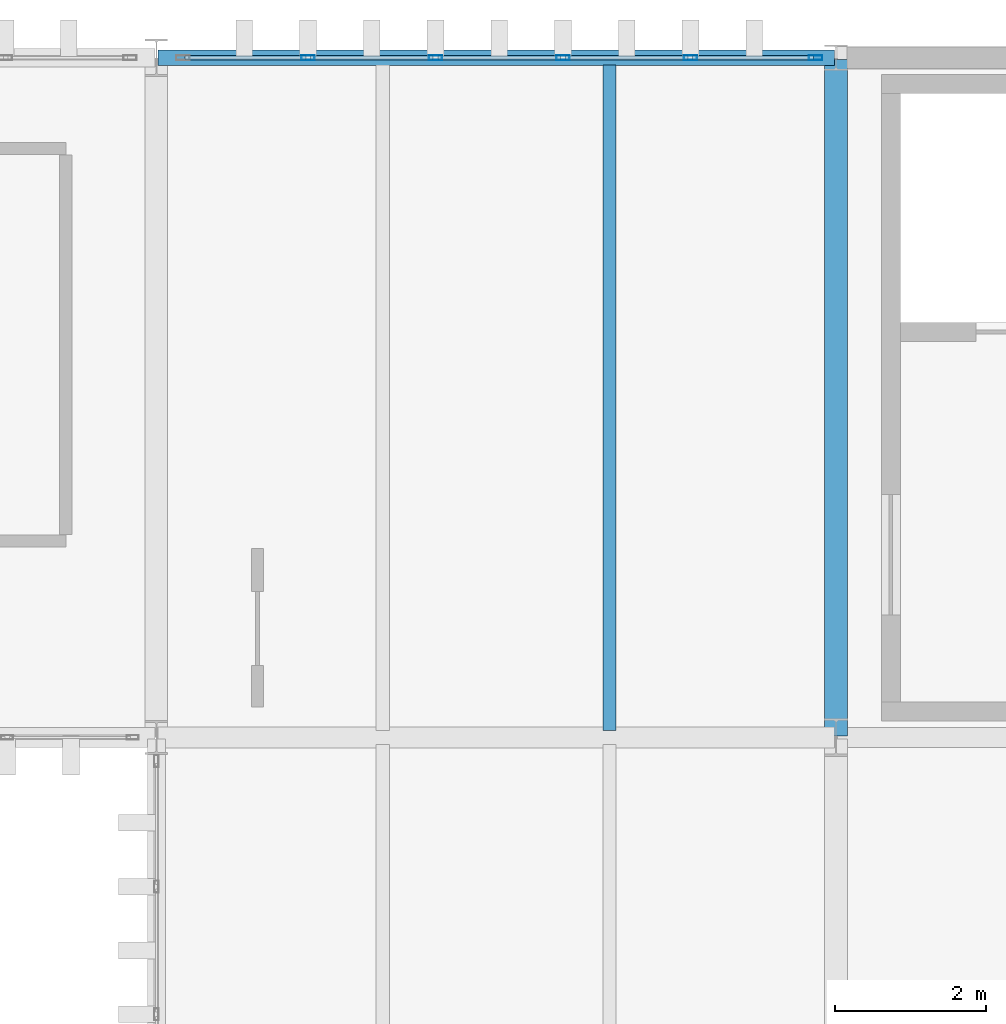
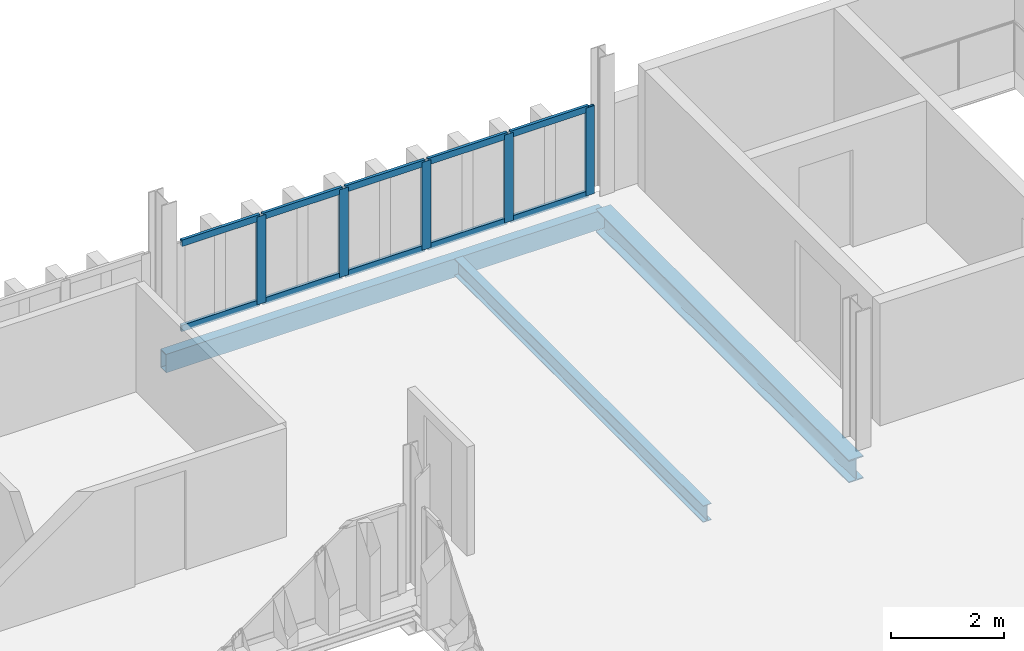
# One storey, part 42 of 58: 15 members, 3 beams, 1 element without a shape of its own.
"""IFC4 building model written with IfcOpenShell, lengths in metres."""

import ifcopenshell
import ifcopenshell.guid

model = None  # the IFC model being written
_history = None  # IfcOwnerHistory: only IFC2X3 demands one
_inside = {}  # id of a spatial element -> (the spatial element, [elements in it])
_under = {}  # id of a project, library or spatial element -> (it, [spatial elements below it])
_declared = {}  # id of a project -> (the project, [libraries it declares])
_typed = {}  # id of a type object -> (the type object, [elements of that type])
_made_of = {}  # id of a material, layer set ... -> (it, [elements and type objects made of it])


def new_model(schema):
    """Start an empty IFC model of exactly this schema.

    Asked for "IFC4X3", IfcOpenShell would pick the latest addendum, in which some entities
    have other attributes; the version numbers below select the first issue.
    IFC2X3 requires an IfcOwnerHistory on every rooted entity: one is made here for all.
    """
    global model, _history
    if schema == "IFC4X3":
        model = ifcopenshell.file(schema_version=(4, 3, 0, 0))
    else:
        model = ifcopenshell.file(schema=schema)
    _inside.clear()
    _under.clear()
    _declared.clear()
    _typed.clear()
    _made_of.clear()
    _history = None
    if model.schema == "IFC2X3":
        org = make("IfcOrganization", Name="unknown")
        user = make(
            "IfcPersonAndOrganization",
            ThePerson=make("IfcPerson", FamilyName="unknown"),
            TheOrganization=org,
        )
        app = make(
            "IfcApplication",
            ApplicationDeveloper=org,
            Version="unknown",
            ApplicationFullName="unknown",
            ApplicationIdentifier="unknown",
        )
        _history = make(
            "IfcOwnerHistory",
            OwningUser=user,
            OwningApplication=app,
            ChangeAction="ADDED",
            CreationDate=0,
        )
    return model


def make(cls, **values):
    """One entity of the class cls with the attributes given. An attribute that is None is left unset."""
    return model.create_entity(
        cls, **{name: value for name, value in values.items() if value is not None}
    )


def rooted(cls, **values):
    """An entity with a GlobalId (a new one), such as an element, a storey or a relation."""
    return make(cls, GlobalId=ifcopenshell.guid.new(), OwnerHistory=_history, **values)


def si_unit(unit_type, name, prefix=None):
    """IfcSIUnit, for example si_unit("LENGTHUNIT", "METRE", prefix="MILLI")."""
    return make("IfcSIUnit", UnitType=unit_type, Prefix=prefix, Name=name)


def assignment(units):
    """IfcUnitAssignment: the units of a project."""
    return None if units is None else make("IfcUnitAssignment", Units=units)


def point(xyz):
    """IfcCartesianPoint."""
    return None if xyz is None else make("IfcCartesianPoint", Coordinates=xyz)


def direction(xyz):
    """IfcDirection."""
    return None if xyz is None else make("IfcDirection", DirectionRatios=xyz)


def frame(location, z_axis=None, x_axis=None):
    """IfcAxis2Placement3D, a coordinate frame: its origin and axes. An axis left out is left unset."""
    return make(
        "IfcAxis2Placement3D",
        Location=point(location),
        Axis=direction(z_axis),
        RefDirection=direction(x_axis),
    )


def frame_2d(location, x_axis=None):
    """IfcAxis2Placement2D, a coordinate frame in the plane: its origin and x axis."""
    return make(
        "IfcAxis2Placement2D", Location=point(location), RefDirection=direction(x_axis)
    )


def origin():
    """The frame at (0, 0, 0) with its axes left unset."""
    return frame((0.0, 0.0, 0.0))


def origin_2d():
    """The frame at (0, 0) in the plane with its x axis left unset."""
    return frame_2d((0.0, 0.0))


def place(relative_to, where):
    """IfcLocalPlacement: puts the frame where relative to a parent placement (None: the world)."""
    return make(
        "IfcLocalPlacement", PlacementRelTo=relative_to, RelativePlacement=where
    )


def context(
    kind, dimensions, precision=None, world=None, true_north=None, identifier=None
):
    """IfcGeometricRepresentationContext, for example the 3D "Model" context."""
    return make(
        "IfcGeometricRepresentationContext",
        ContextIdentifier=identifier,
        ContextType=kind,
        CoordinateSpaceDimension=dimensions,
        Precision=precision,
        WorldCoordinateSystem=world,
        TrueNorth=true_north,
    )


def subcontext(parent, identifier, kind, view, scale=None):
    """IfcGeometricRepresentationSubContext, for example "Body" below "Model"."""
    return make(
        "IfcGeometricRepresentationSubContext",
        ContextIdentifier=identifier,
        ContextType=kind,
        ParentContext=parent,
        TargetScale=scale,
        TargetView=view,
    )


def project(units=None, contexts=None):
    """IfcProject with its units and contexts."""
    return rooted(
        "IfcProject",
        Name="project",
        RepresentationContexts=contexts,
        UnitsInContext=assignment(units),
    )


def spatial(cls, under=None, at=None, **own):
    """A site, building, storey or space (cls), placed at a placement, below another one or the project."""
    s = rooted(cls, ObjectPlacement=at, **own)
    if under is not None:
        _under.setdefault(under.id(), (under, []))[1].append(s)
    return s


def profile(cls, at=None, kind="AREA", **sizes):
    """A parametric profile (cls). Its sizes go by their IFC names, for example OverallWidth=200.0."""
    return make(cls, ProfileType=kind, Position=at, **sizes)


def hollow_rectangle(**sizes):
    """IfcRectangleHollowProfileDef."""
    return profile("IfcRectangleHollowProfileDef", **sizes)


def i_section(**sizes):
    """IfcIShapeProfileDef."""
    return profile("IfcIShapeProfileDef", **sizes)


def extrude(swept, where, along, depth):
    """IfcExtrudedAreaSolid: the profile swept, set in the frame where, extruded along a direction by depth."""
    return make(
        "IfcExtrudedAreaSolid",
        SweptArea=swept,
        Position=where,
        ExtrudedDirection=direction(along),
        Depth=depth,
    )


def shape(context_of_items, identifier, shape_type, items):
    """IfcShapeRepresentation: the items that make up one representation, for example the "Body"."""
    return make(
        "IfcShapeRepresentation",
        ContextOfItems=context_of_items,
        RepresentationIdentifier=identifier,
        RepresentationType=shape_type,
        Items=items,
    )


def material(Name=None, Category=None):
    """IfcMaterial."""
    return make("IfcMaterial", Name=Name, Category=Category)


def layer(
    of_material, thickness, ventilated=None, Name=None, Category=None, Priority=None
):
    """IfcMaterialLayer: one layer of a wall or slab, of a material (None: an air gap)."""
    return make(
        "IfcMaterialLayer",
        Material=of_material,
        LayerThickness=thickness,
        IsVentilated=ventilated,
        Name=Name,
        Category=Category,
        Priority=Priority,
    )


def layer_set(layers, Name=None):
    """IfcMaterialLayerSet."""
    return make("IfcMaterialLayerSet", MaterialLayers=layers, LayerSetName=Name)


def material_profile(
    of_material, cross_section, Name=None, Category=None, Priority=None
):
    """IfcMaterialProfile: a cross section and its material."""
    return make(
        "IfcMaterialProfile",
        Name=Name,
        Material=of_material,
        Profile=cross_section,
        Priority=Priority,
        Category=Category,
    )


def profile_set(profiles, Name=None, composite=None):
    """IfcMaterialProfileSet."""
    return make(
        "IfcMaterialProfileSet",
        Name=Name,
        MaterialProfiles=profiles,
        CompositeProfile=composite,
    )


def made_of(thing, what):
    """Note that an element or type object is made of a material, layer set ...; save() writes the relation."""
    if what is not None:
        _made_of.setdefault(what.id(), (what, []))[1].append(thing)
    return thing


def type_object(cls, material=None, **own):
    """A type object (cls), such as IfcWallType, which elements share."""
    return made_of(rooted(cls, **own), material)


def element(
    cls,
    number,
    at=None,
    inside=None,
    cuts=None,
    type_object=None,
    material=None,
    context=None,
    identifier="Body",
    shape_type=None,
    held_by="IfcProductDefinitionShape",
    body=None,
    shapes=None,
    **own,
):
    """One element of the class cls, such as IfcWall. Its Tag is "e" and its number.

    at: its placement. inside: the storey or other place that contains it. cuts: it is an
    opening in that element (IfcRelVoidsElement). A single representation is given by context,
    identifier, shape_type and body (its items); several are given by shapes. held_by: the class
    of the entity that holds the representations. save() writes the other relations.
    """
    e = rooted(cls, Tag="e%d" % number, ObjectPlacement=at, **own)
    if body is not None:
        shapes = [shape(context, identifier, shape_type, body)]
    if shapes is not None:
        e.Representation = make(held_by, Representations=shapes)
    if inside is not None:
        _inside.setdefault(inside.id(), (inside, []))[1].append(e)
    if cuts is not None:
        rooted(
            "IfcRelVoidsElement", RelatingBuildingElement=cuts, RelatedOpeningElement=e
        )
    if type_object is not None:
        _typed.setdefault(type_object.id(), (type_object, []))[1].append(e)
    return made_of(e, material)


def aggregate(whole, parts):
    """IfcRelAggregates: a whole, such as a stair, and the parts it consists of."""
    return rooted("IfcRelAggregates", RelatingObject=whole, RelatedObjects=parts)


def save(model, path):
    """Write the relations noted so far, then the file.

    IfcRelAggregates (storeys below a building ...), IfcRelContainedInSpatialStructure (elements
    in a storey), IfcRelDefinesByType, IfcRelAssociatesMaterial and IfcRelDeclares: one each for
    every whole, place, type object, material and project.
    """
    for whole, parts in _under.values():
        aggregate(whole, parts)
    for where, things in _inside.values():
        rooted(
            "IfcRelContainedInSpatialStructure",
            RelatedElements=things,
            RelatingStructure=where,
        )
    for kind, things in _typed.values():
        rooted("IfcRelDefinesByType", RelatedObjects=things, RelatingType=kind)
    for what, things in _made_of.values():
        rooted("IfcRelAssociatesMaterial", RelatedObjects=things, RelatingMaterial=what)
    for by, libraries in _declared.values():
        rooted("IfcRelDeclares", RelatingContext=by, RelatedDefinitions=libraries)
    model.write(path)


model = new_model("IFC4")

# Units and contexts
model_context = context("Model", 3, precision=1e-05, world=origin(), true_north=direction((0.0, 1.0)))
body_context = subcontext(model_context, "Body", "Model", "MODEL_VIEW")
ifc_project = project(units=[si_unit("LENGTHUNIT", "METRE"), si_unit("AREAUNIT", "SQUARE_METRE"), si_unit("VOLUMEUNIT", "CUBIC_METRE"), si_unit("PLANEANGLEUNIT", "RADIAN"), si_unit("MASSUNIT", "GRAM", prefix="KILO")], contexts=[model_context])

# Site, building, storey
site_placement = place(None, origin())
site = spatial("IfcSite", under=ifc_project, at=site_placement, CompositionType="ELEMENT")
building_placement = place(site_placement, origin())
building = spatial("IfcBuilding", under=site, at=building_placement, Name="Barlavento Convention Centre", CompositionType="ELEMENT")
storey_placement = place(building_placement, frame((0.0, 0.0, 26.800048828125)))
storey = spatial("IfcBuildingStorey", under=building, at=storey_placement, Name="L05", CompositionType="ELEMENT", Elevation=26.800048828125)

# Curtain wall, members
ifc_material_1 = material(Name="Powder-coated aluminium and Low-E glass", Category="aluminium")
ifc_layer = layer(ifc_material_1, 0.18994140625)
ifc_layer_set = layer_set([ifc_layer], Name="ARC-CW-CONF-L05")
curtain_wall_type = type_object("IfcCurtainWallType", Name="ARC-CW-CONF-L05", PredefinedType="NOTDEFINED", material=ifc_layer_set)
curtain_wall_placement = place(storey_placement, origin())
curtain_wall = element("IfcCurtainWall", 1, at=curtain_wall_placement, inside=storey, type_object=curtain_wall_type, Name="L05 unitised curtain wall CW10", PredefinedType="NOTDEFINED")
ifc_material_2 = material(Name="Powder-coated aluminium", Category="aluminium")
ifc_material_profile_1 = material_profile(ifc_material_2, hollow_rectangle(XDim=0.06005859375, YDim=0.179931640625, WallThickness=0.0048828125, at=origin_2d()), Name="AL-MULL 60x180x5")
ifc_profile_set_1 = profile_set([ifc_material_profile_1], Name="Powder-coated aluminium")
member_type_1 = type_object("IfcMemberType", Name="ARC-CWM-60X180", PredefinedType="MULLION", material=ifc_profile_set_1)
member_1_placement = place(storey_placement, frame((173.008056640625, 99.0, 0.0), z_axis=(0.0, 0.0, 1.0), x_axis=(0.0, 1.0, 0.0)))
member_1 = element("IfcMember", 2, at=member_1_placement, type_object=member_type_1, Name="CW10 mullion 2", PredefinedType="MULLION", context=body_context, shape_type="SweptSolid", body=[
    extrude(hollow_rectangle(XDim=0.06005859375, YDim=0.179931640625, WallThickness=0.0048828125, at=origin_2d()), origin(), (0.0, 0.0, 1.0), 1.89990234375),
])
member_2_placement = place(storey_placement, frame((174.696044921875, 99.0, 0.0), z_axis=(0.0, 0.0, 1.0), x_axis=(0.0, 1.0, 0.0)))
member_2 = element("IfcMember", 3, at=member_2_placement, type_object=member_type_1, Name="CW10 mullion 3", PredefinedType="MULLION", context=body_context, shape_type="SweptSolid", body=[
    extrude(hollow_rectangle(XDim=0.06005859375, YDim=0.179931640625, WallThickness=0.0048828125, at=origin_2d()), origin(), (0.0, 0.0, 1.0), 1.89990234375),
])
member_3_placement = place(storey_placement, frame((176.384033203125, 99.0, 0.0), z_axis=(0.0, 0.0, 1.0), x_axis=(0.0, 1.0, 0.0)))
member_3 = element("IfcMember", 4, at=member_3_placement, type_object=member_type_1, Name="CW10 mullion 4", PredefinedType="MULLION", context=body_context, shape_type="SweptSolid", body=[
    extrude(hollow_rectangle(XDim=0.06005859375, YDim=0.179931640625, WallThickness=0.0048828125, at=origin_2d()), origin(), (0.0, 0.0, 1.0), 1.89990234375),
])
member_4_placement = place(storey_placement, frame((178.072021484375, 99.0, 0.0), z_axis=(0.0, 0.0, 1.0), x_axis=(0.0, 1.0, 0.0)))
member_4 = element("IfcMember", 5, at=member_4_placement, type_object=member_type_1, Name="CW10 mullion 5", PredefinedType="MULLION", context=body_context, shape_type="SweptSolid", body=[
    extrude(hollow_rectangle(XDim=0.06005859375, YDim=0.179931640625, WallThickness=0.0048828125, at=origin_2d()), origin(), (0.0, 0.0, 1.0), 1.89990234375),
])
member_5_placement = place(storey_placement, frame((179.72998046875, 99.0, 0.0), z_axis=(0.0, 0.0, 1.0), x_axis=(0.0, 1.0, 0.0)))
member_5 = element("IfcMember", 6, at=member_5_placement, type_object=member_type_1, Name="CW10 mullion 6", PredefinedType="MULLION", context=body_context, shape_type="SweptSolid", body=[
    extrude(hollow_rectangle(XDim=0.06005859375, YDim=0.179931640625, WallThickness=0.0048828125, at=origin_2d()), origin(), (0.0, 0.0, 1.0), 1.89990234375),
])
ifc_material_profile_2 = material_profile(ifc_material_2, hollow_rectangle(XDim=0.06005859375, YDim=0.139892578125, WallThickness=0.00390625, at=origin_2d()), Name="AL-TRAN 60x140x4")
ifc_profile_set_2 = profile_set([ifc_material_profile_2], Name="Powder-coated aluminium")
member_type_2 = type_object("IfcMemberType", Name="ARC-CWT-60X140", PredefinedType="USERDEFINED", material=ifc_profile_set_2)
member_6_placement = place(storey_placement, frame((171.3798828125, 99.0, 0.030029296875), z_axis=(1.0, 0.0, 0.0), x_axis=(0.0, 1.0, 0.0)))
member_6 = element("IfcMember", 7, at=member_6_placement, type_object=member_type_2, Name="CW10 transom 1.1", ObjectType="TRANSOM", PredefinedType="USERDEFINED", context=body_context, shape_type="SweptSolid", body=[
    extrude(hollow_rectangle(XDim=0.06005859375, YDim=0.139892578125, WallThickness=0.00390625, at=origin_2d()), origin(), (0.0, 0.0, 1.0), 1.59814453125),
])
member_7_placement = place(storey_placement, frame((171.3798828125, 99.0, 1.869873046875), z_axis=(1.0, 0.0, 0.0), x_axis=(0.0, 1.0, 0.0)))
member_7 = element("IfcMember", 8, at=member_7_placement, type_object=member_type_2, Name="CW10 transom 1.2", ObjectType="TRANSOM", PredefinedType="USERDEFINED", context=body_context, shape_type="SweptSolid", body=[
    extrude(hollow_rectangle(XDim=0.06005859375, YDim=0.139892578125, WallThickness=0.00390625, at=origin_2d()), origin(), (0.0, 0.0, 1.0), 1.59814453125),
])
member_8_placement = place(storey_placement, frame((173.0380859375, 99.0, 0.030029296875), z_axis=(1.0, 0.0, 0.0), x_axis=(0.0, 1.0, 0.0)))
member_8 = element("IfcMember", 9, at=member_8_placement, type_object=member_type_2, Name="CW10 transom 2.1", ObjectType="TRANSOM", PredefinedType="USERDEFINED", context=body_context, shape_type="SweptSolid", body=[
    extrude(hollow_rectangle(XDim=0.06005859375, YDim=0.139892578125, WallThickness=0.00390625, at=origin_2d()), origin(), (0.0, 0.0, 1.0), 1.6279296875),
])
member_9_placement = place(storey_placement, frame((173.0380859375, 99.0, 1.869873046875), z_axis=(1.0, 0.0, 0.0), x_axis=(0.0, 1.0, 0.0)))
member_9 = element("IfcMember", 10, at=member_9_placement, type_object=member_type_2, Name="CW10 transom 2.2", ObjectType="TRANSOM", PredefinedType="USERDEFINED", context=body_context, shape_type="SweptSolid", body=[
    extrude(hollow_rectangle(XDim=0.06005859375, YDim=0.139892578125, WallThickness=0.00390625, at=origin_2d()), origin(), (0.0, 0.0, 1.0), 1.6279296875),
])
member_10_placement = place(storey_placement, frame((174.72607421875, 99.0, 0.030029296875), z_axis=(1.0, 0.0, 0.0), x_axis=(0.0, 1.0, 0.0)))
member_10 = element("IfcMember", 11, at=member_10_placement, type_object=member_type_2, Name="CW10 transom 3.1", ObjectType="TRANSOM", PredefinedType="USERDEFINED", context=body_context, shape_type="SweptSolid", body=[
    extrude(hollow_rectangle(XDim=0.06005859375, YDim=0.139892578125, WallThickness=0.00390625, at=origin_2d()), origin(), (0.0, 0.0, 1.0), 1.6279296875),
])
member_11_placement = place(storey_placement, frame((174.72607421875, 99.0, 1.869873046875), z_axis=(1.0, 0.0, 0.0), x_axis=(0.0, 1.0, 0.0)))
member_11 = element("IfcMember", 12, at=member_11_placement, type_object=member_type_2, Name="CW10 transom 3.2", ObjectType="TRANSOM", PredefinedType="USERDEFINED", context=body_context, shape_type="SweptSolid", body=[
    extrude(hollow_rectangle(XDim=0.06005859375, YDim=0.139892578125, WallThickness=0.00390625, at=origin_2d()), origin(), (0.0, 0.0, 1.0), 1.6279296875),
])
member_12_placement = place(storey_placement, frame((176.4140625, 99.0, 0.030029296875), z_axis=(1.0, 0.0, 0.0), x_axis=(0.0, 1.0, 0.0)))
member_12 = element("IfcMember", 13, at=member_12_placement, type_object=member_type_2, Name="CW10 transom 4.1", ObjectType="TRANSOM", PredefinedType="USERDEFINED", context=body_context, shape_type="SweptSolid", body=[
    extrude(hollow_rectangle(XDim=0.06005859375, YDim=0.139892578125, WallThickness=0.00390625, at=origin_2d()), origin(), (0.0, 0.0, 1.0), 1.6279296875),
])
member_13_placement = place(storey_placement, frame((176.4140625, 99.0, 1.869873046875), z_axis=(1.0, 0.0, 0.0), x_axis=(0.0, 1.0, 0.0)))
member_13 = element("IfcMember", 14, at=member_13_placement, type_object=member_type_2, Name="CW10 transom 4.2", ObjectType="TRANSOM", PredefinedType="USERDEFINED", context=body_context, shape_type="SweptSolid", body=[
    extrude(hollow_rectangle(XDim=0.06005859375, YDim=0.139892578125, WallThickness=0.00390625, at=origin_2d()), origin(), (0.0, 0.0, 1.0), 1.6279296875),
])
member_14_placement = place(storey_placement, frame((178.10205078125, 99.0, 0.030029296875), z_axis=(1.0, 0.0, 0.0), x_axis=(0.0, 1.0, 0.0)))
member_14 = element("IfcMember", 15, at=member_14_placement, type_object=member_type_2, Name="CW10 transom 5.1", ObjectType="TRANSOM", PredefinedType="USERDEFINED", context=body_context, shape_type="SweptSolid", body=[
    extrude(hollow_rectangle(XDim=0.06005859375, YDim=0.139892578125, WallThickness=0.00390625, at=origin_2d()), origin(), (0.0, 0.0, 1.0), 1.597900390625),
])
member_15_placement = place(storey_placement, frame((178.10205078125, 99.0, 1.869873046875), z_axis=(1.0, 0.0, 0.0), x_axis=(0.0, 1.0, 0.0)))
member_15 = element("IfcMember", 16, at=member_15_placement, type_object=member_type_2, Name="CW10 transom 5.2", ObjectType="TRANSOM", PredefinedType="USERDEFINED", context=body_context, shape_type="SweptSolid", body=[
    extrude(hollow_rectangle(XDim=0.06005859375, YDim=0.139892578125, WallThickness=0.00390625, at=origin_2d()), origin(), (0.0, 0.0, 1.0), 1.597900390625),
])
aggregate(curtain_wall, [member_1, member_2, member_3, member_4, member_5, member_6, member_7, member_8, member_9, member_10, member_11, member_12, member_13, member_14, member_15])

# Beams
ifc_material_3 = material(Name="Steel S355", Category="steel")
ifc_material_profile_3 = material_profile(ifc_material_3, i_section(OverallWidth=0.169921875, OverallDepth=0.360107421875, WebThickness=0.008056640625, FlangeThickness=0.0126953125, FilletRadius=0.01806640625, at=origin_2d()), Name="IPE 360")
ifc_profile_set_3 = profile_set([ifc_material_profile_3], Name="Steel S355")
beam_type_1 = type_object("IfcBeamType", Name="STR-BM-JST-IPE360", PredefinedType="JOIST", material=ifc_profile_set_3)
beam_1_placement = place(storey_placement, frame((177.0, 90.094970703125, -0.5400390625), z_axis=(0.0, 1.0, 0.0), x_axis=(-1.0, 0.0, 0.0)))
element("IfcBeam", 17, at=beam_1_placement, inside=storey, type_object=beam_type_1, Name="L05 composite floor joist SJ05", PredefinedType="JOIST", context=body_context, shape_type="SweptSolid", body=[
    extrude(i_section(OverallWidth=0.169921875, OverallDepth=0.360107421875, WebThickness=0.008056640625, FlangeThickness=0.0126953125, FilletRadius=0.01806640625, at=origin_2d()), origin(), (0.0, 0.0, 1.0), 8.81005859375),
])
ifc_material_profile_4 = material_profile(ifc_material_3, i_section(OverallWidth=0.300048828125, OverallDepth=0.489990234375, WebThickness=0.011962890625, FlangeThickness=0.02294921875, FilletRadius=0.027099609375, at=origin_2d()), Name="HEA 500")
ifc_profile_set_4 = profile_set([ifc_material_profile_4], Name="Steel S355")
beam_type_2 = type_object("IfcBeamType", Name="STR-BM-PRI-HEA500", PredefinedType="BEAM", material=ifc_profile_set_4)
beam_2_placement = place(storey_placement, frame((180.0, 90.02001953125, -0.60498046875), z_axis=(0.0, 1.0, 0.0), x_axis=(-1.0, 0.0, 0.0)))
element("IfcBeam", 18, at=beam_2_placement, inside=storey, type_object=beam_type_2, Name="L05 grid girder BG20", PredefinedType="BEAM", context=body_context, shape_type="SweptSolid", body=[
    extrude(i_section(OverallWidth=0.300048828125, OverallDepth=0.489990234375, WebThickness=0.011962890625, FlangeThickness=0.02294921875, FilletRadius=0.027099609375, at=origin_2d()), origin(), (0.0, 0.0, 1.0), 8.9599609375),
])
ifc_material_profile_5 = material_profile(ifc_material_3, hollow_rectangle(XDim=0.199951171875, YDim=0.39990234375, WallThickness=0.01611328125, at=origin_2d()), Name="RHS 400x200x16.0")
ifc_profile_set_5 = profile_set([ifc_material_profile_5], Name="Steel S355")
beam_type_3 = type_object("IfcBeamType", Name="STR-BM-SPN-RHS400", PredefinedType="SPANDREL", material=ifc_profile_set_5)
beam_3_placement = place(storey_placement, frame((171.02001953125, 99.0, -0.56005859375), z_axis=(1.0, 0.0, 0.0), x_axis=(0.0, 1.0, 0.0)))
element("IfcBeam", 19, at=beam_3_placement, inside=storey, type_object=beam_type_3, Name="L05 primary girder SP06", PredefinedType="SPANDREL", context=body_context, shape_type="SweptSolid", body=[
    extrude(hollow_rectangle(XDim=0.199951171875, YDim=0.39990234375, WallThickness=0.01611328125, at=origin_2d()), origin(), (0.0, 0.0, 1.0), 8.9599609375),
])

save(model, "model.ifc")
